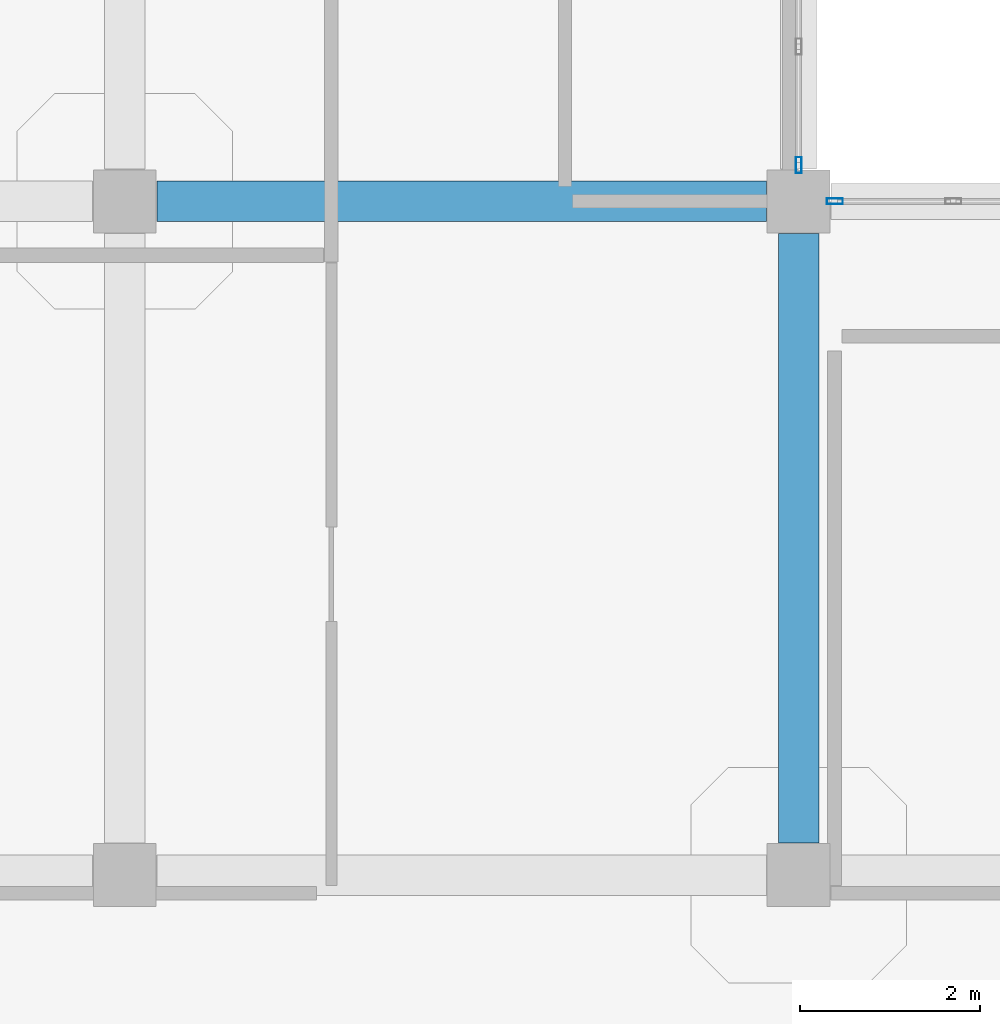
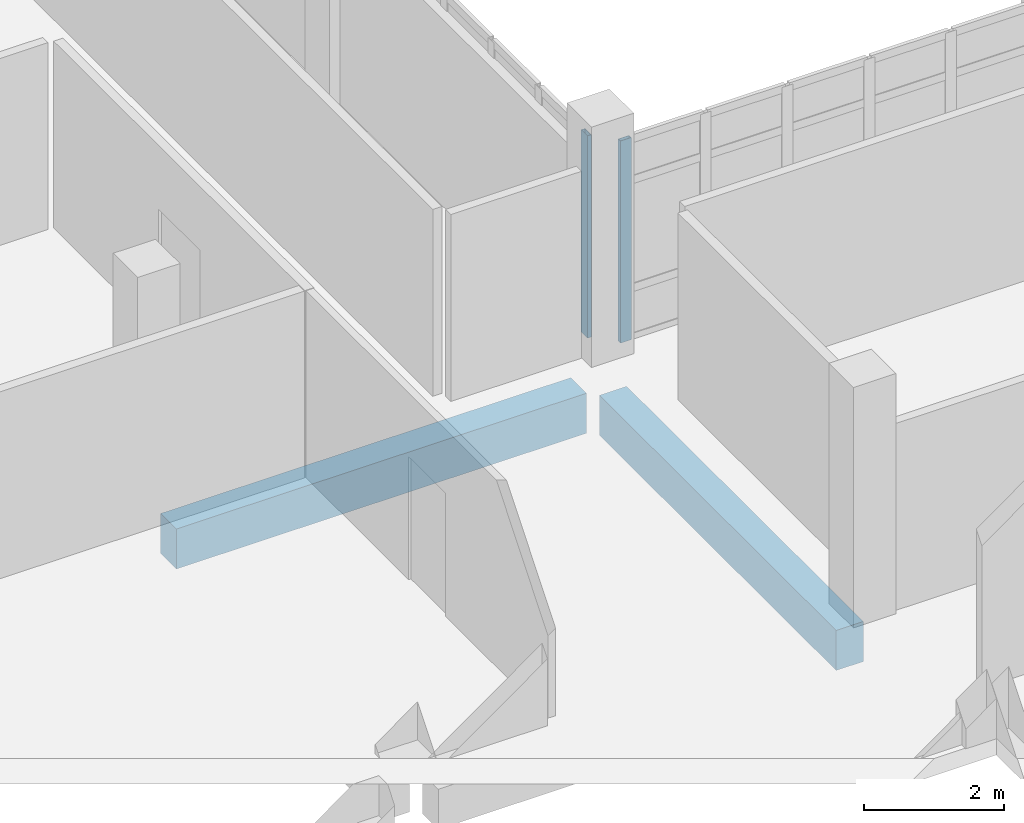
# One storey, part 17 of 164: 2 beams, 2 members, 2 elements without a shape of their own.
"""IFC4 building model written with IfcOpenShell, lengths in metres."""

from ifc_helpers import new_model, si_unit, direction, frame, origin, origin_2d, place, context, subcontext, project, spatial, rectangle, hollow_rectangle, extrude, material, layer, layer_set, material_profile, profile_set, type_object, element, aggregate, save


model = new_model("IFC4")

# Units and contexts
model_context = context("Model", 3, precision=1e-05, world=origin(), true_north=direction((0.0, 1.0)))
body_context = subcontext(model_context, "Body", "Model", "MODEL_VIEW")
ifc_project = project(units=[si_unit("LENGTHUNIT", "METRE"), si_unit("AREAUNIT", "SQUARE_METRE"), si_unit("VOLUMEUNIT", "CUBIC_METRE"), si_unit("PLANEANGLEUNIT", "RADIAN"), si_unit("MASSUNIT", "GRAM", prefix="KILO")], contexts=[model_context])

# Site, building, storey
site_placement = place(None, origin())
site = spatial("IfcSite", under=ifc_project, at=site_placement, CompositionType="ELEMENT")
building_placement = place(site_placement, origin())
building = spatial("IfcBuilding", under=site, at=building_placement, Name="Mawjan Specialist Oncology Clinic", CompositionType="ELEMENT")
storey_placement = place(building_placement, frame((0.0, 0.0, 5.0)))
storey = spatial("IfcBuildingStorey", under=building, at=storey_placement, Name="L01", CompositionType="ELEMENT", Elevation=5.0)

# Beams
ifc_material_1 = material(Name="Concrete C40/50", Category="concrete")
ifc_material_profile_1 = material_profile(ifc_material_1, rectangle(XDim=0.449951171875, YDim=0.699951171875, at=origin_2d()), Name="RC BM 450x700", Category="concrete")
ifc_profile_set_1 = profile_set([ifc_material_profile_1], Name="Concrete C40/50")
beam_type = type_object("IfcBeamType", Name="BM-450x700", PredefinedType="BEAM", material=ifc_profile_set_1)
beam_1_placement = place(storey_placement, frame((7.860107421875, 15.800048828125, -0.8701171875), z_axis=(1.0, 0.0, 0.0), x_axis=(0.0, 1.0, 0.0)))
element("IfcBeam", 1, at=beam_1_placement, inside=storey, type_object=beam_type, Name="L01 Collector Beam BM-L01-0238", PredefinedType="BEAM", context=body_context, shape_type="SweptSolid", body=[
    extrude(rectangle(XDim=0.449951171875, YDim=0.699951171875, at=origin_2d()), origin(), (0.0, 0.0, 1.0), 6.77978515625),
])
beam_2_placement = place(storey_placement, frame((15.0, 8.659912109375, -0.8701171875), z_axis=(0.0, 1.0, 0.0), x_axis=(-1.0, 0.0, 0.0)))
element("IfcBeam", 2, at=beam_2_placement, inside=storey, type_object=beam_type, Name="L01 Collector Beam BM-L01-0437", PredefinedType="BEAM", context=body_context, shape_type="SweptSolid", body=[
    extrude(rectangle(XDim=0.449951171875, YDim=0.699951171875, at=origin_2d()), origin(), (0.0, 0.0, 1.0), 6.780029296875),
])

# Curtain wall, member
ifc_material_2 = material(Name="Unitised spectrally selective aluminium curtain wall", Category="aluminium")
ifc_layer = layer(ifc_material_2, 0.179931640625, Name="Unitised spectrally selective aluminium curtain wall", Category="aluminium")
ifc_layer_set = layer_set([ifc_layer], Name="Unitised spectrally selective aluminium curtain wall")
curtain_wall_type = type_object("IfcCurtainWallType", Name="CW-73", PredefinedType="NOTDEFINED", material=ifc_layer_set)
curtain_wall_1_placement = place(storey_placement, origin())
curtain_wall_1 = element("IfcCurtainWall", 3, at=curtain_wall_1_placement, inside=storey, type_object=curtain_wall_type, Name="L01 Unitised Curtain Wall CW-L01-164", PredefinedType="NOTDEFINED")
ifc_material_3 = material(Name="Thermally broken aluminium 6063-T6", Category="aluminium")
ifc_material_profile_2 = material_profile(ifc_material_3, hollow_rectangle(XDim=0.06494140625, YDim=0.179931640625, WallThickness=0.00390625, at=origin_2d()), Name="ALU MULLION 180x65x4", Category="aluminium")
ifc_profile_set_2 = profile_set([ifc_material_profile_2], Name="Thermally broken aluminium 6063-T6")
member_type = type_object("IfcMemberType", Name="CW-M180", PredefinedType="MULLION", material=ifc_profile_set_2)
member_1_placement = place(storey_placement, frame((15.0, 16.202392578125, 0.0), z_axis=(0.0, 0.0, 1.0), x_axis=(1.0, 0.0, 0.0)))
member_1 = element("IfcMember", 4, at=member_1_placement, type_object=member_type, Name="CW-73 mullion 6", PredefinedType="MULLION", context=body_context, shape_type="SweptSolid", body=[
    extrude(hollow_rectangle(XDim=0.06494140625, YDim=0.179931640625, WallThickness=0.00390625, at=origin_2d()), origin(), (0.0, 0.0, 1.0), 3.534912109375),
])
aggregate(curtain_wall_1, [member_1])

curtain_wall_2_placement = place(storey_placement, origin())
curtain_wall_2 = element("IfcCurtainWall", 5, at=curtain_wall_2_placement, inside=storey, type_object=curtain_wall_type, Name="L01 Unitised Curtain Wall CW-L01-165", PredefinedType="NOTDEFINED")
member_2_placement = place(storey_placement, frame((15.402587890625, 15.800048828125, 0.0), z_axis=(0.0, 0.0, 1.0), x_axis=(0.0, 1.0, 0.0)))
member_2 = element("IfcMember", 6, at=member_2_placement, type_object=member_type, Name="CW-73 mullion 1", PredefinedType="MULLION", context=body_context, shape_type="SweptSolid", body=[
    extrude(hollow_rectangle(XDim=0.06494140625, YDim=0.179931640625, WallThickness=0.00390625, at=origin_2d()), origin(), (0.0, 0.0, 1.0), 3.534912109375),
])
aggregate(curtain_wall_2, [member_2])

save(model, "model.ifc")
